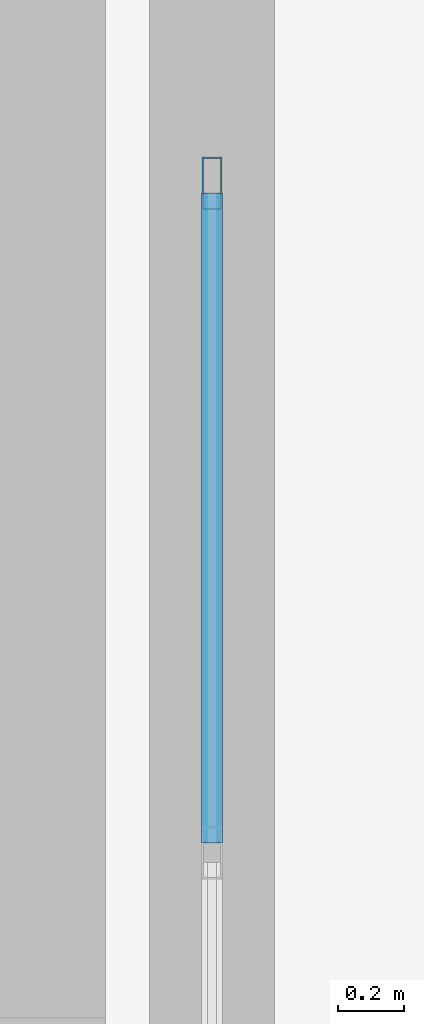
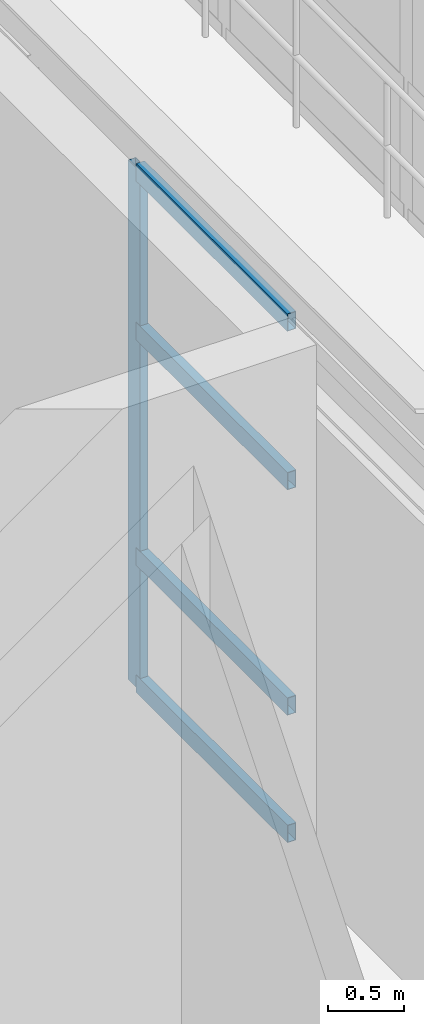
# One storey, part 57 of 116: 5 members, 1 element without a shape of its own.
"""IFC4 building model written with IfcOpenShell, lengths in metres."""

import ifcopenshell
import ifcopenshell.guid

model = None  # the IFC model being written
_history = None  # IfcOwnerHistory: only IFC2X3 demands one
_inside = {}  # id of a spatial element -> (the spatial element, [elements in it])
_under = {}  # id of a project, library or spatial element -> (it, [spatial elements below it])
_declared = {}  # id of a project -> (the project, [libraries it declares])
_typed = {}  # id of a type object -> (the type object, [elements of that type])
_made_of = {}  # id of a material, layer set ... -> (it, [elements and type objects made of it])


def new_model(schema):
    """Start an empty IFC model of exactly this schema.

    Asked for "IFC4X3", IfcOpenShell would pick the latest addendum, in which some entities
    have other attributes; the version numbers below select the first issue.
    IFC2X3 requires an IfcOwnerHistory on every rooted entity: one is made here for all.
    """
    global model, _history
    if schema == "IFC4X3":
        model = ifcopenshell.file(schema_version=(4, 3, 0, 0))
    else:
        model = ifcopenshell.file(schema=schema)
    _inside.clear()
    _under.clear()
    _declared.clear()
    _typed.clear()
    _made_of.clear()
    _history = None
    if model.schema == "IFC2X3":
        org = make("IfcOrganization", Name="unknown")
        user = make(
            "IfcPersonAndOrganization",
            ThePerson=make("IfcPerson", FamilyName="unknown"),
            TheOrganization=org,
        )
        app = make(
            "IfcApplication",
            ApplicationDeveloper=org,
            Version="unknown",
            ApplicationFullName="unknown",
            ApplicationIdentifier="unknown",
        )
        _history = make(
            "IfcOwnerHistory",
            OwningUser=user,
            OwningApplication=app,
            ChangeAction="ADDED",
            CreationDate=0,
        )
    return model


def make(cls, **values):
    """One entity of the class cls with the attributes given. An attribute that is None is left unset."""
    return model.create_entity(
        cls, **{name: value for name, value in values.items() if value is not None}
    )


def rooted(cls, **values):
    """An entity with a GlobalId (a new one), such as an element, a storey or a relation."""
    return make(cls, GlobalId=ifcopenshell.guid.new(), OwnerHistory=_history, **values)


def si_unit(unit_type, name, prefix=None):
    """IfcSIUnit, for example si_unit("LENGTHUNIT", "METRE", prefix="MILLI")."""
    return make("IfcSIUnit", UnitType=unit_type, Prefix=prefix, Name=name)


def assignment(units):
    """IfcUnitAssignment: the units of a project."""
    return None if units is None else make("IfcUnitAssignment", Units=units)


def point(xyz):
    """IfcCartesianPoint."""
    return None if xyz is None else make("IfcCartesianPoint", Coordinates=xyz)


def direction(xyz):
    """IfcDirection."""
    return None if xyz is None else make("IfcDirection", DirectionRatios=xyz)


def frame(location, z_axis=None, x_axis=None):
    """IfcAxis2Placement3D, a coordinate frame: its origin and axes. An axis left out is left unset."""
    return make(
        "IfcAxis2Placement3D",
        Location=point(location),
        Axis=direction(z_axis),
        RefDirection=direction(x_axis),
    )


def frame_2d(location, x_axis=None):
    """IfcAxis2Placement2D, a coordinate frame in the plane: its origin and x axis."""
    return make(
        "IfcAxis2Placement2D", Location=point(location), RefDirection=direction(x_axis)
    )


def origin():
    """The frame at (0, 0, 0) with its axes left unset."""
    return frame((0.0, 0.0, 0.0))


def origin_2d():
    """The frame at (0, 0) in the plane with its x axis left unset."""
    return frame_2d((0.0, 0.0))


def place(relative_to, where):
    """IfcLocalPlacement: puts the frame where relative to a parent placement (None: the world)."""
    return make(
        "IfcLocalPlacement", PlacementRelTo=relative_to, RelativePlacement=where
    )


def context(
    kind, dimensions, precision=None, world=None, true_north=None, identifier=None
):
    """IfcGeometricRepresentationContext, for example the 3D "Model" context."""
    return make(
        "IfcGeometricRepresentationContext",
        ContextIdentifier=identifier,
        ContextType=kind,
        CoordinateSpaceDimension=dimensions,
        Precision=precision,
        WorldCoordinateSystem=world,
        TrueNorth=true_north,
    )


def subcontext(parent, identifier, kind, view, scale=None):
    """IfcGeometricRepresentationSubContext, for example "Body" below "Model"."""
    return make(
        "IfcGeometricRepresentationSubContext",
        ContextIdentifier=identifier,
        ContextType=kind,
        ParentContext=parent,
        TargetScale=scale,
        TargetView=view,
    )


def project(units=None, contexts=None):
    """IfcProject with its units and contexts."""
    return rooted(
        "IfcProject",
        Name="project",
        RepresentationContexts=contexts,
        UnitsInContext=assignment(units),
    )


def spatial(cls, under=None, at=None, **own):
    """A site, building, storey or space (cls), placed at a placement, below another one or the project."""
    s = rooted(cls, ObjectPlacement=at, **own)
    if under is not None:
        _under.setdefault(under.id(), (under, []))[1].append(s)
    return s


def profile(cls, at=None, kind="AREA", **sizes):
    """A parametric profile (cls). Its sizes go by their IFC names, for example OverallWidth=200.0."""
    return make(cls, ProfileType=kind, Position=at, **sizes)


def hollow_rectangle(**sizes):
    """IfcRectangleHollowProfileDef."""
    return profile("IfcRectangleHollowProfileDef", **sizes)


def extrude(swept, where, along, depth):
    """IfcExtrudedAreaSolid: the profile swept, set in the frame where, extruded along a direction by depth."""
    return make(
        "IfcExtrudedAreaSolid",
        SweptArea=swept,
        Position=where,
        ExtrudedDirection=direction(along),
        Depth=depth,
    )


def shape(context_of_items, identifier, shape_type, items):
    """IfcShapeRepresentation: the items that make up one representation, for example the "Body"."""
    return make(
        "IfcShapeRepresentation",
        ContextOfItems=context_of_items,
        RepresentationIdentifier=identifier,
        RepresentationType=shape_type,
        Items=items,
    )


def material(Name=None, Category=None):
    """IfcMaterial."""
    return make("IfcMaterial", Name=Name, Category=Category)


def layer(
    of_material, thickness, ventilated=None, Name=None, Category=None, Priority=None
):
    """IfcMaterialLayer: one layer of a wall or slab, of a material (None: an air gap)."""
    return make(
        "IfcMaterialLayer",
        Material=of_material,
        LayerThickness=thickness,
        IsVentilated=ventilated,
        Name=Name,
        Category=Category,
        Priority=Priority,
    )


def layer_set(layers, Name=None):
    """IfcMaterialLayerSet."""
    return make("IfcMaterialLayerSet", MaterialLayers=layers, LayerSetName=Name)


def material_profile(
    of_material, cross_section, Name=None, Category=None, Priority=None
):
    """IfcMaterialProfile: a cross section and its material."""
    return make(
        "IfcMaterialProfile",
        Name=Name,
        Material=of_material,
        Profile=cross_section,
        Priority=Priority,
        Category=Category,
    )


def profile_set(profiles, Name=None, composite=None):
    """IfcMaterialProfileSet."""
    return make(
        "IfcMaterialProfileSet",
        Name=Name,
        MaterialProfiles=profiles,
        CompositeProfile=composite,
    )


def made_of(thing, what):
    """Note that an element or type object is made of a material, layer set ...; save() writes the relation."""
    if what is not None:
        _made_of.setdefault(what.id(), (what, []))[1].append(thing)
    return thing


def type_object(cls, material=None, **own):
    """A type object (cls), such as IfcWallType, which elements share."""
    return made_of(rooted(cls, **own), material)


def element(
    cls,
    number,
    at=None,
    inside=None,
    cuts=None,
    type_object=None,
    material=None,
    context=None,
    identifier="Body",
    shape_type=None,
    held_by="IfcProductDefinitionShape",
    body=None,
    shapes=None,
    **own,
):
    """One element of the class cls, such as IfcWall. Its Tag is "e" and its number.

    at: its placement. inside: the storey or other place that contains it. cuts: it is an
    opening in that element (IfcRelVoidsElement). A single representation is given by context,
    identifier, shape_type and body (its items); several are given by shapes. held_by: the class
    of the entity that holds the representations. save() writes the other relations.
    """
    e = rooted(cls, Tag="e%d" % number, ObjectPlacement=at, **own)
    if body is not None:
        shapes = [shape(context, identifier, shape_type, body)]
    if shapes is not None:
        e.Representation = make(held_by, Representations=shapes)
    if inside is not None:
        _inside.setdefault(inside.id(), (inside, []))[1].append(e)
    if cuts is not None:
        rooted(
            "IfcRelVoidsElement", RelatingBuildingElement=cuts, RelatedOpeningElement=e
        )
    if type_object is not None:
        _typed.setdefault(type_object.id(), (type_object, []))[1].append(e)
    return made_of(e, material)


def aggregate(whole, parts):
    """IfcRelAggregates: a whole, such as a stair, and the parts it consists of."""
    return rooted("IfcRelAggregates", RelatingObject=whole, RelatedObjects=parts)


def save(model, path):
    """Write the relations noted so far, then the file.

    IfcRelAggregates (storeys below a building ...), IfcRelContainedInSpatialStructure (elements
    in a storey), IfcRelDefinesByType, IfcRelAssociatesMaterial and IfcRelDeclares: one each for
    every whole, place, type object, material and project.
    """
    for whole, parts in _under.values():
        aggregate(whole, parts)
    for where, things in _inside.values():
        rooted(
            "IfcRelContainedInSpatialStructure",
            RelatedElements=things,
            RelatingStructure=where,
        )
    for kind, things in _typed.values():
        rooted("IfcRelDefinesByType", RelatedObjects=things, RelatingType=kind)
    for what, things in _made_of.values():
        rooted("IfcRelAssociatesMaterial", RelatedObjects=things, RelatingMaterial=what)
    for by, libraries in _declared.values():
        rooted("IfcRelDeclares", RelatingContext=by, RelatedDefinitions=libraries)
    model.write(path)


model = new_model("IFC4")

# Units and contexts
model_context = context("Model", 3, precision=1e-05, world=origin(), true_north=direction((0.0, 1.0)))
body_context = subcontext(model_context, "Body", "Model", "MODEL_VIEW")
ifc_project = project(units=[si_unit("LENGTHUNIT", "METRE"), si_unit("AREAUNIT", "SQUARE_METRE"), si_unit("VOLUMEUNIT", "CUBIC_METRE"), si_unit("PLANEANGLEUNIT", "RADIAN"), si_unit("MASSUNIT", "GRAM", prefix="KILO")], contexts=[model_context])

# Site, building, storey
site_placement = place(None, origin())
site = spatial("IfcSite", under=ifc_project, at=site_placement, CompositionType="ELEMENT")
building_placement = place(site_placement, origin())
building = spatial("IfcBuilding", under=site, at=building_placement, Name="Selat Folded Stagehouse", CompositionType="ELEMENT")
storey_placement = place(building_placement, frame((0.0, 0.0, 5.39990234375)))
storey = spatial("IfcBuildingStorey", under=building, at=storey_placement, Name="L01", CompositionType="ELEMENT", Elevation=5.39990234375)

# Curtain wall, members
ifc_material = material(Name="Aluminium 6063-T6", Category="aluminium")
ifc_layer = layer(ifc_material, 0.175048828125)
ifc_layer_set = layer_set([ifc_layer], Name="Aluminium 6063-T6")
curtain_wall_type = type_object("IfcCurtainWallType", Name="CW-BRG-GLAZ", PredefinedType="NOTDEFINED", material=ifc_layer_set)
curtain_wall_placement = place(storey_placement, origin())
curtain_wall = element("IfcCurtainWall", 1, at=curtain_wall_placement, inside=storey, type_object=curtain_wall_type, Name="L01 curtain wall CW-BRG-02", PredefinedType="NOTDEFINED")
ifc_material_profile_1 = material_profile(ifc_material, hollow_rectangle(XDim=0.06005859375, YDim=0.159912109375, WallThickness=0.00390625, at=origin_2d()), Name="ALU 160x60x4.0")
ifc_profile_set_1 = profile_set([ifc_material_profile_1], Name="Aluminium 6063-T6")
member_type_1 = type_object("IfcMemberType", Name="CWM-MUL-160x60", PredefinedType="MULLION", material=ifc_profile_set_1)
member_1_placement = place(storey_placement, frame((67.199951171875, 46.1201171875, 0.0), z_axis=(0.0, 0.0, 1.0), x_axis=(-1.0, 0.0, 0.0)))
member_1 = element("IfcMember", 2, at=member_1_placement, type_object=member_type_1, Name="CW-07 mullion 8", PredefinedType="MULLION", context=body_context, shape_type="SweptSolid", body=[
    extrude(hollow_rectangle(XDim=0.06005859375, YDim=0.159912109375, WallThickness=0.00390625, at=origin_2d()), origin(), (0.0, 0.0, 1.0), 4.150146484375),
])
ifc_material_profile_2 = material_profile(ifc_material, hollow_rectangle(XDim=0.06494140625, YDim=0.139892578125, WallThickness=0.00390625, at=origin_2d()), Name="ALU 140x65x4.0")
ifc_profile_set_2 = profile_set([ifc_material_profile_2], Name="Aluminium 6063-T6")
member_type_2 = type_object("IfcMemberType", Name="CWM-TRN-140x65", PredefinedType="USERDEFINED", material=ifc_profile_set_2)
member_2_placement = place(storey_placement, frame((67.199951171875, 44.108642578125, 0.03271484375), z_axis=(0.0, 1.0, 0.0), x_axis=(-1.0, 0.0, 0.0)))
member_2 = element("IfcMember", 3, at=member_2_placement, type_object=member_type_2, Name="CW-07 transom 7.1", ObjectType="TRANSOM", PredefinedType="USERDEFINED", context=body_context, shape_type="SweptSolid", body=[
    extrude(hollow_rectangle(XDim=0.06494140625, YDim=0.139892578125, WallThickness=0.00390625, at=origin_2d()), origin(), (0.0, 0.0, 1.0), 1.9814453125),
])
member_3_placement = place(storey_placement, frame((67.199951171875, 44.108642578125, 1.050048828125), z_axis=(0.0, 1.0, 0.0), x_axis=(-1.0, 0.0, 0.0)))
member_3 = element("IfcMember", 4, at=member_3_placement, type_object=member_type_2, Name="CW-07 transom 7.2", ObjectType="TRANSOM", PredefinedType="USERDEFINED", context=body_context, shape_type="SweptSolid", body=[
    extrude(hollow_rectangle(XDim=0.06494140625, YDim=0.139892578125, WallThickness=0.00390625, at=origin_2d()), origin(), (0.0, 0.0, 1.0), 1.9814453125),
])
member_4_placement = place(storey_placement, frame((67.199951171875, 44.108642578125, 2.85009765625), z_axis=(0.0, 1.0, 0.0), x_axis=(-1.0, 0.0, 0.0)))
member_4 = element("IfcMember", 5, at=member_4_placement, type_object=member_type_2, Name="CW-07 transom 7.3", ObjectType="TRANSOM", PredefinedType="USERDEFINED", context=body_context, shape_type="SweptSolid", body=[
    extrude(hollow_rectangle(XDim=0.06494140625, YDim=0.139892578125, WallThickness=0.00390625, at=origin_2d()), origin(), (0.0, 0.0, 1.0), 1.9814453125),
])
member_5_placement = place(storey_placement, frame((67.199951171875, 44.108642578125, 4.11767578125), z_axis=(0.0, 1.0, 0.0), x_axis=(-1.0, 0.0, 0.0)))
member_5 = element("IfcMember", 6, at=member_5_placement, type_object=member_type_2, Name="CW-07 transom 7.4", ObjectType="TRANSOM", PredefinedType="USERDEFINED", context=body_context, shape_type="SweptSolid", body=[
    extrude(hollow_rectangle(XDim=0.06494140625, YDim=0.139892578125, WallThickness=0.00390625, at=origin_2d()), origin(), (0.0, 0.0, 1.0), 1.9814453125),
])
aggregate(curtain_wall, [member_1, member_2, member_3, member_4, member_5])

save(model, "model.ifc")
